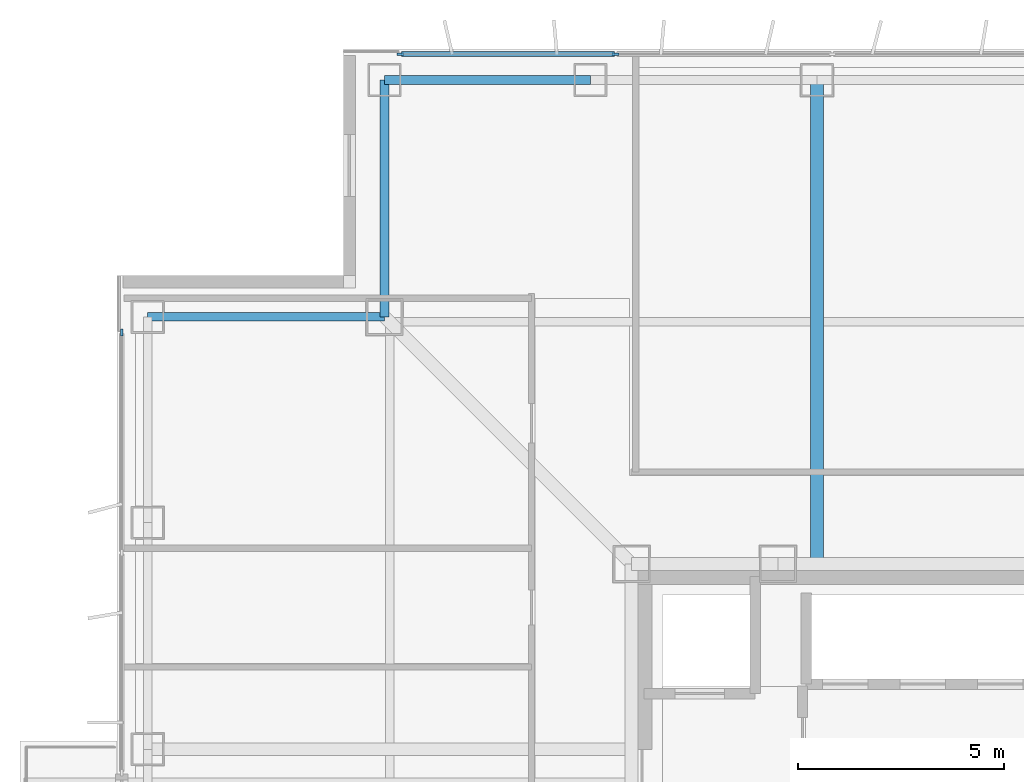
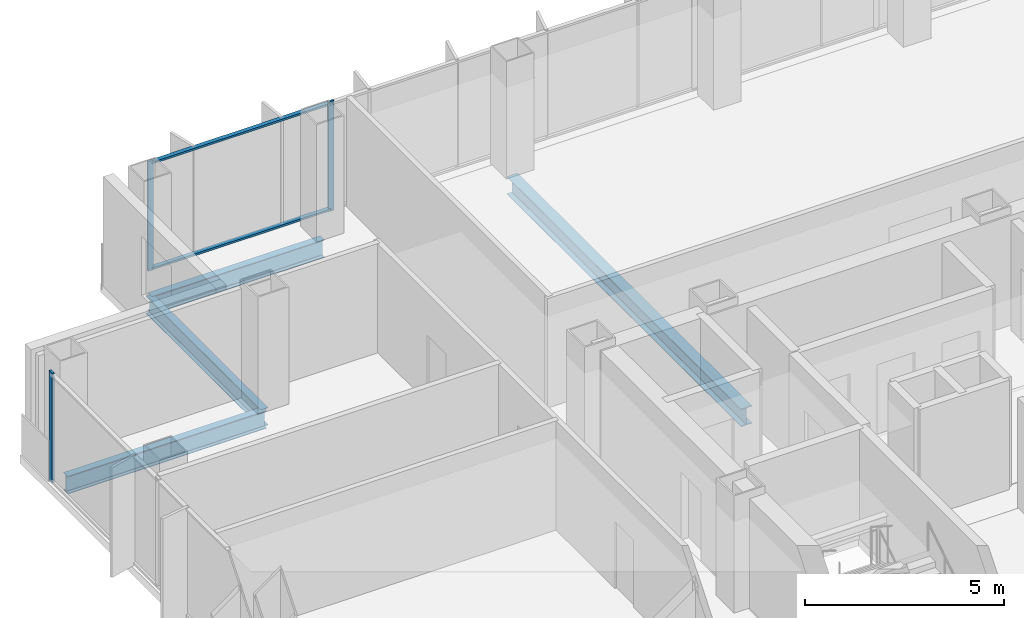
# One storey, part 7 of 15: 5 members, 4 beams, 2 elements without a shape of their own.
"""IFC4 building model written with IfcOpenShell, lengths in metres."""

from ifc_helpers import new_model, si_unit, direction, frame, origin, origin_2d, place, context, subcontext, project, spatial, rectangle, i_section, extrude, material, layer, layer_set, material_profile, profile_set, type_object, element, aggregate, save


model = new_model("IFC4")

# Units and contexts
model_context = context("Model", 3, precision=1e-05, world=origin(), true_north=direction((0.0, 1.0)))
body_context = subcontext(model_context, "Body", "Model", "MODEL_VIEW")
ifc_project = project(units=[si_unit("LENGTHUNIT", "METRE"), si_unit("AREAUNIT", "SQUARE_METRE"), si_unit("VOLUMEUNIT", "CUBIC_METRE"), si_unit("PLANEANGLEUNIT", "RADIAN"), si_unit("MASSUNIT", "GRAM", prefix="KILO")], contexts=[model_context])

# Site, building, storey
site_placement = place(None, origin())
site = spatial("IfcSite", under=ifc_project, at=site_placement, CompositionType="ELEMENT")
building_placement = place(site_placement, origin())
building = spatial("IfcBuilding", under=site, at=building_placement, Name="Trevonay Congress Spire", CompositionType="ELEMENT")
storey_placement = place(building_placement, frame((0.0, 0.0, 216.60009765625)))
storey = spatial("IfcBuildingStorey", under=building, at=storey_placement, Name="L56", CompositionType="ELEMENT", Elevation=216.60009765625)

# Beams
ifc_material_1 = material(Name="Steel ASTM A572 Grade 50", Category="steel")
ifc_material_profile_1 = material_profile(ifc_material_1, i_section(OverallWidth=0.31201171875, OverallDepth=0.54296875, WebThickness=0.0126953125, FlangeThickness=0.020263671875, FilletRadius=0.014892578125, at=origin_2d()), Name="W530x150")
ifc_profile_set_1 = profile_set([ifc_material_profile_1], Name="Steel ASTM A572 Grade 50")
beam_type_1 = type_object("IfcBeamType", Name="BM-GIRD-W530X150", PredefinedType="BEAM", material=ifc_profile_set_1)
beam_1_placement = place(storey_placement, frame((-3.0, 7.5, -0.51171875), z_axis=(0.0, 1.0, 0.0), x_axis=(-1.0, 0.0, 0.0)))
element("IfcBeam", 1, at=beam_1_placement, inside=storey, type_object=beam_type_1, Name="L56 structural beam BM-L56-GN-M", PredefinedType="BEAM", context=body_context, shape_type="SweptSolid", body=[
    extrude(i_section(OverallWidth=0.31201171875, OverallDepth=0.54296875, WebThickness=0.0126953125, FlangeThickness=0.020263671875, FilletRadius=0.014892578125, at=origin_2d()), origin(), (0.0, 0.0, 1.0), 11.75),
])
ifc_material_profile_2 = material_profile(ifc_material_1, i_section(OverallWidth=0.2119140625, OverallDepth=0.5439453125, WebThickness=0.01318359375, FlangeThickness=0.021240234375, FilletRadius=0.014892578125, at=origin_2d()), Name="W530x123")
ifc_profile_set_2 = profile_set([ifc_material_profile_2], Name="Steel ASTM A572 Grade 50")
beam_type_2 = type_object("IfcBeamType", Name="BM-RING-W530X123", PredefinedType="BEAM", material=ifc_profile_set_2)
beam_2_placement = place(storey_placement, frame((-13.5, 19.25, -0.51220703125), z_axis=(1.0, 0.0, 0.0), x_axis=(0.0, 1.0, 0.0)))
element("IfcBeam", 2, at=beam_2_placement, inside=storey, type_object=beam_type_2, Name="L56 structural beam BM-L56-PN1", PredefinedType="BEAM", context=body_context, shape_type="SweptSolid", body=[
    extrude(i_section(OverallWidth=0.2119140625, OverallDepth=0.5439453125, WebThickness=0.01318359375, FlangeThickness=0.021240234375, FilletRadius=0.014892578125, at=origin_2d()), origin(), (0.0, 0.0, 1.0), 5.0),
])
for number, where, z_axis, x_axis, name in (
    (3, (-13.5, 19.25, -0.51220703125), (0.0, -1.0, 0.0), (1.0, 0.0, 0.0), "L56 structural beam BM-L56-N1NW"),
    (4, (-19.25, 13.5, -0.51220703125), (1.0, 0.0, 0.0), (0.0, 1.0, 0.0), "L56 structural beam BM-L56-N2NW"),
):
    element("IfcBeam", number, at=place(storey_placement, frame(where, z_axis=z_axis, x_axis=x_axis)), inside=storey, type_object=beam_type_2, Name=name, PredefinedType="BEAM", context=body_context, shape_type="SweptSolid", body=[
        extrude(i_section(OverallWidth=0.2119140625, OverallDepth=0.5439453125, WebThickness=0.01318359375, FlangeThickness=0.021240234375, FilletRadius=0.014892578125, at=origin_2d()), origin(), (0.0, 0.0, 1.0), 5.75),
    ])

# Curtain wall, members
ifc_material_2 = material(Name="Pale Anodised Aluminium EN AW-6063-T6", Category="aluminium")
ifc_layer = layer(ifc_material_2, 0.169921875, Name="Pale Anodised Aluminium EN AW-6063-T6")
ifc_layer_set = layer_set([ifc_layer], Name="Pale Anodised Aluminium EN AW-6063-T6")
curtain_wall_type = type_object("IfcCurtainWallType", Name="CW-SYS04-CORP-PALE-METAL", PredefinedType="NOTDEFINED", material=ifc_layer_set)
curtain_wall_1_placement = place(storey_placement, origin())
curtain_wall_1 = element("IfcCurtainWall", 5, at=curtain_wall_1_placement, inside=storey, type_object=curtain_wall_type, Name="L56 N unitised curtain wall", PredefinedType="NOTDEFINED")
ifc_material_profile_3 = material_profile(ifc_material_2, rectangle(XDim=0.06005859375, YDim=0.159912109375, at=origin_2d()), Name="CW-MULLION-160-ALUMINIUM")
ifc_profile_set_3 = profile_set([ifc_material_profile_3], Name="Pale Anodised Aluminium EN AW-6063-T6")
member_type_1 = type_object("IfcMemberType", Name="CW-MULLION-160-ALUMINIUM", PredefinedType="MULLION", material=ifc_profile_set_3)
member_1_placement = place(storey_placement, frame((-13.1201171875, 19.8798828125, 0.0), z_axis=(0.0, 0.0, 1.0), x_axis=(0.0, 1.0, 0.0)))
member_1 = element("IfcMember", 6, at=member_1_placement, type_object=member_type_1, Name="CW04 mullion 1", PredefinedType="MULLION", context=body_context, shape_type="SweptSolid", body=[
    extrude(rectangle(XDim=0.06005859375, YDim=0.159912109375, at=origin_2d()), origin(), (0.0, 0.0, 1.0), 3.35986328125),
])
member_2_placement = place(storey_placement, frame((-7.889892578125, 19.8798828125, 0.0), z_axis=(0.0, 0.0, 1.0), x_axis=(0.0, 1.0, 0.0)))
member_2 = element("IfcMember", 7, at=member_2_placement, type_object=member_type_1, Name="CW04 mullion 2", PredefinedType="MULLION", context=body_context, shape_type="SweptSolid", body=[
    extrude(rectangle(XDim=0.06005859375, YDim=0.159912109375, at=origin_2d()), origin(), (0.0, 0.0, 1.0), 3.35986328125),
])

# Curtain wall, member
curtain_wall_2_placement = place(storey_placement, origin())
curtain_wall_2 = element("IfcCurtainWall", 8, at=curtain_wall_2_placement, inside=storey, type_object=curtain_wall_type, Name="L56 WB unitised curtain wall", PredefinedType="NOTDEFINED")
member_3_placement = place(storey_placement, frame((-19.8798828125, 13.1201171875, 0.0), z_axis=(0.0, 0.0, 1.0), x_axis=(-1.0, 0.0, 0.0)))
member_3 = element("IfcMember", 9, at=member_3_placement, type_object=member_type_1, Name="CW04 mullion 3", PredefinedType="MULLION", context=body_context, shape_type="SweptSolid", body=[
    extrude(rectangle(XDim=0.06005859375, YDim=0.159912109375, at=origin_2d()), origin(), (0.0, 0.0, 1.0), 3.35986328125),
])
aggregate(curtain_wall_2, [member_3])

# Member
ifc_material_profile_4 = material_profile(ifc_material_2, rectangle(XDim=0.1201171875, YDim=0.06005859375, at=origin_2d()), Name="CW-TRANSOM-120-ALUMINIUM")
ifc_profile_set_4 = profile_set([ifc_material_profile_4], Name="Pale Anodised Aluminium EN AW-6063-T6")
member_type_2 = type_object("IfcMemberType", Name="CW-TRANSOM-120-ALUMINIUM", PredefinedType="USERDEFINED", material=ifc_profile_set_4)
member_4_placement = place(storey_placement, frame((-13.090087890625, 19.8798828125, 0.059814453125), z_axis=(1.0, 0.0, 0.0), x_axis=(0.0, 1.0, 0.0)))
member_4 = element("IfcMember", 10, at=member_4_placement, type_object=member_type_2, Name="CW04 transom 1.1", ObjectType="TRANSOM", PredefinedType="USERDEFINED", context=body_context, shape_type="SweptSolid", body=[
    extrude(rectangle(XDim=0.1201171875, YDim=0.06005859375, at=origin_2d()), origin(), (0.0, 0.0, 1.0), 5.170166015625),
])

member_5_placement = place(storey_placement, frame((-13.090087890625, 19.8798828125, 3.2998046875), z_axis=(1.0, 0.0, 0.0), x_axis=(0.0, 1.0, 0.0)))
member_5 = element("IfcMember", 11, at=member_5_placement, type_object=member_type_2, Name="CW04 transom 1.2", ObjectType="TRANSOM", PredefinedType="USERDEFINED", context=body_context, shape_type="SweptSolid", body=[
    extrude(rectangle(XDim=0.1201171875, YDim=0.06005859375, at=origin_2d()), origin(), (0.0, 0.0, 1.0), 5.170166015625),
])

aggregate(curtain_wall_1, [member_1, member_2, member_4, member_5])

save(model, "model.ifc")
